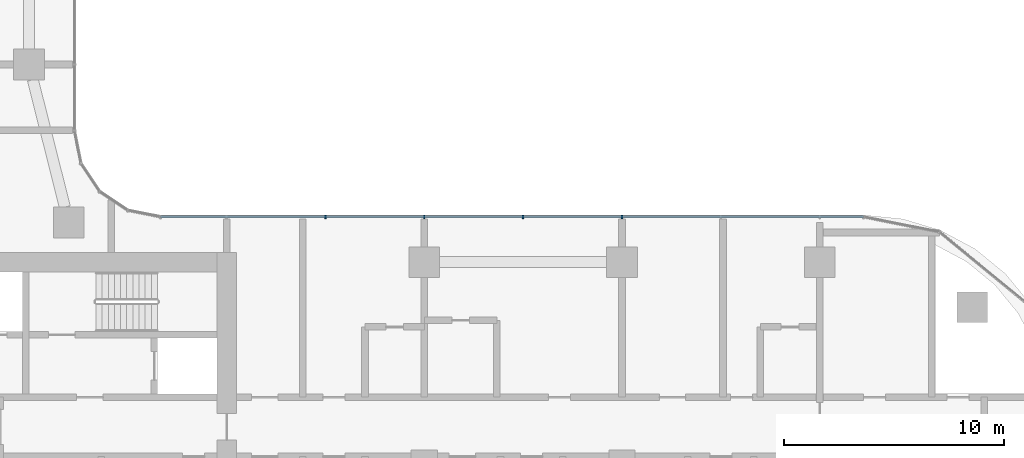
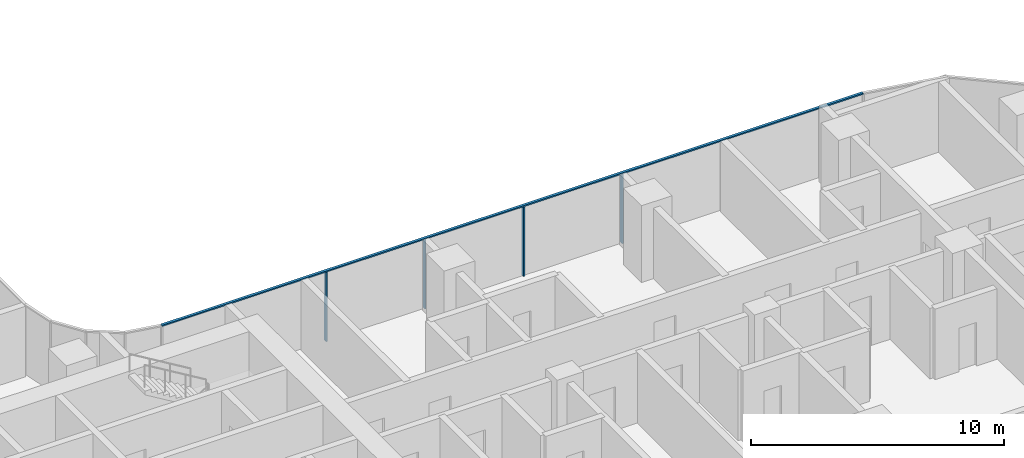
# One storey, part 4 of 32: 5 members, 1 element without a shape of its own.
"""IFC4 building model written with IfcOpenShell, lengths in metres."""

from ifc_helpers import new_model, si_unit, direction, frame, origin, origin_2d, place, context, subcontext, project, spatial, rectangle, extrude, material, material_profile, profile_set, type_object, element, aggregate, save


model = new_model("IFC4")

# Units and contexts
model_context = context("Model", 3, precision=1e-05, world=origin(), true_north=direction((0.0, 1.0)))
body_context = subcontext(model_context, "Body", "Model", "MODEL_VIEW")
ifc_project = project(units=[si_unit("LENGTHUNIT", "METRE"), si_unit("AREAUNIT", "SQUARE_METRE"), si_unit("VOLUMEUNIT", "CUBIC_METRE"), si_unit("PLANEANGLEUNIT", "RADIAN"), si_unit("MASSUNIT", "GRAM", prefix="KILO")], contexts=[model_context])

# Site, building, storey
site_placement = place(None, origin())
site = spatial("IfcSite", under=ifc_project, at=site_placement, CompositionType="ELEMENT")
building_placement = place(site_placement, origin())
building = spatial("IfcBuilding", under=site, at=building_placement, Name="Ogive Portal Towers", CompositionType="ELEMENT")
storey_placement = place(building_placement, frame((0.0, 0.0, 59.39990234375)))
storey = spatial("IfcBuildingStorey", under=building, at=storey_placement, Name="L13", CompositionType="ELEMENT", Elevation=59.39990234375)

# Curtain wall, members
ifc_material_1 = material(Name="Glass, clear low-iron insulated glazing", Category="glass")
curtain_wall_type = type_object("IfcCurtainWallType", Name="CW FRONT RIBBON 4500", PredefinedType="NOTDEFINED", material=ifc_material_1)
curtain_wall_placement = place(storey_placement, origin())
curtain_wall = element("IfcCurtainWall", 1, at=curtain_wall_placement, inside=storey, type_object=curtain_wall_type, Name="A:L13:f16:cw0", PredefinedType="NOTDEFINED")
ifc_material_2 = material(Name="Aluminium 6063 anodised", Category="aluminium")
ifc_material_profile_1 = material_profile(ifc_material_2, rectangle(XDim=0.159912109375, YDim=0.06005859375, at=origin_2d()), Name="AL 60x160")
ifc_profile_set_1 = profile_set([ifc_material_profile_1], Name="Aluminium 6063 anodised")
member_type_1 = type_object("IfcMemberType", Name="CW MULLION 60x160", PredefinedType="MULLION", material=ifc_profile_set_1)
member_1_placement = place(storey_placement, frame((76.5, 41.56494140625, 0.0), z_axis=(0.0, 0.0, 1.0), x_axis=(0.0, -1.0, 0.0)))
member_1 = element("IfcMember", 2, at=member_1_placement, type_object=member_type_1, Name="mullion", PredefinedType="MULLION", context=body_context, shape_type="SweptSolid", body=[
    extrude(rectangle(XDim=0.159912109375, YDim=0.06005859375, at=origin_2d()), origin(), (0.0, 0.0, 1.0), 3.340087890625),
])
member_2_placement = place(storey_placement, frame((72.0, 41.56494140625, 0.0), z_axis=(0.0, 0.0, 1.0), x_axis=(0.0, -1.0, 0.0)))
member_2 = element("IfcMember", 3, at=member_2_placement, type_object=member_type_1, Name="mullion", PredefinedType="MULLION", context=body_context, shape_type="SweptSolid", body=[
    extrude(rectangle(XDim=0.159912109375, YDim=0.06005859375, at=origin_2d()), origin(), (0.0, 0.0, 1.0), 3.340087890625),
])
member_3_placement = place(storey_placement, frame((67.5, 41.56494140625, 0.0), z_axis=(0.0, 0.0, 1.0), x_axis=(0.0, -1.0, 0.0)))
member_3 = element("IfcMember", 4, at=member_3_placement, type_object=member_type_1, Name="mullion", PredefinedType="MULLION", context=body_context, shape_type="SweptSolid", body=[
    extrude(rectangle(XDim=0.159912109375, YDim=0.06005859375, at=origin_2d()), origin(), (0.0, 0.0, 1.0), 3.340087890625),
])
member_4_placement = place(storey_placement, frame((63.0, 41.56494140625, 0.0), z_axis=(0.0, 0.0, 1.0), x_axis=(0.0, -1.0, 0.0)))
member_4 = element("IfcMember", 5, at=member_4_placement, type_object=member_type_1, Name="mullion", PredefinedType="MULLION", context=body_context, shape_type="SweptSolid", body=[
    extrude(rectangle(XDim=0.159912109375, YDim=0.06005859375, at=origin_2d()), origin(), (0.0, 0.0, 1.0), 3.340087890625),
])
ifc_material_profile_2 = material_profile(ifc_material_2, rectangle(XDim=0.1201171875, YDim=0.06005859375, at=origin_2d()), Name="AL 120x60")
ifc_profile_set_2 = profile_set([ifc_material_profile_2], Name="Aluminium 6063 anodised")
member_type_2 = type_object("IfcMemberType", Name="CW TRANSOM 60x120", PredefinedType="USERDEFINED", material=ifc_profile_set_2)
member_5_placement = place(storey_placement, frame((87.4921875, 41.56494140625, 3.3701171875), z_axis=(-1.0, 0.0, 0.0), x_axis=(0.0, -1.0, 0.0)))
member_5 = element("IfcMember", 6, at=member_5_placement, type_object=member_type_2, Name="transom", ObjectType="TRANSOM", PredefinedType="USERDEFINED", context=body_context, shape_type="SweptSolid", body=[
    extrude(rectangle(XDim=0.1201171875, YDim=0.06005859375, at=origin_2d()), origin(), (0.0, 0.0, 1.0), 32.0),
])
aggregate(curtain_wall, [member_5, member_1, member_2, member_3, member_4])

save(model, "model.ifc")
